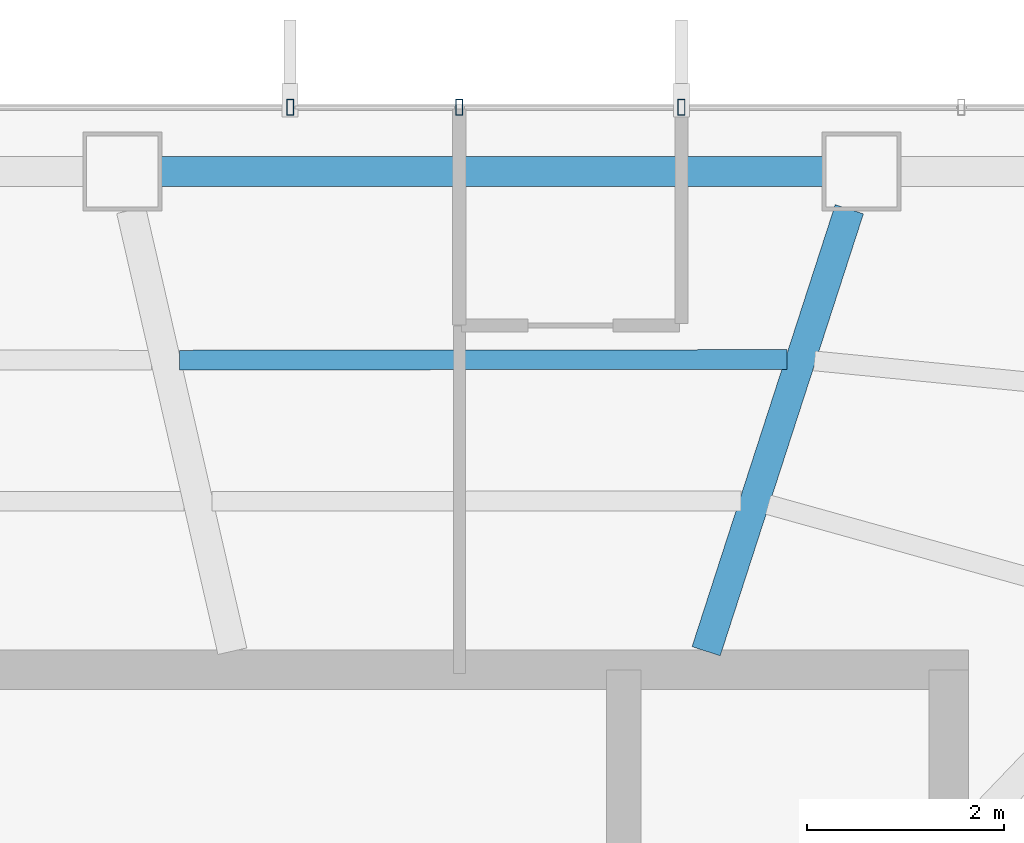
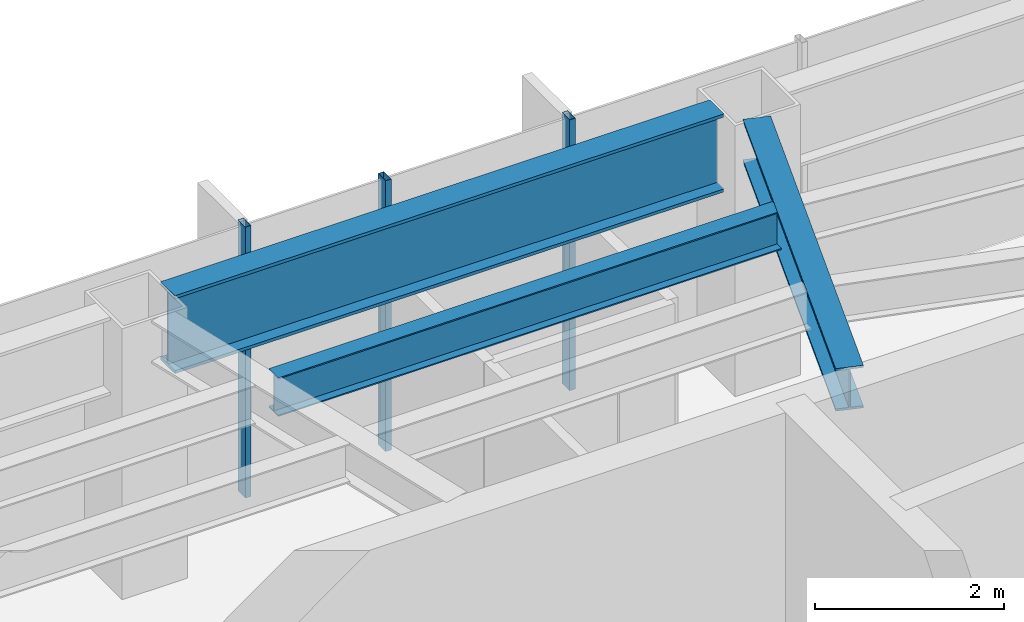
# One storey, part 16 of 29: 3 beams, 3 members, 1 element without a shape of its own.
"""IFC4 building model written with IfcOpenShell, lengths in metres."""

from ifc_helpers import new_model, si_unit, direction, frame, origin, origin_2d, place, context, subcontext, project, spatial, hollow_rectangle, i_section, extrude, material, layer, layer_set, material_profile, profile_set, type_object, element, aggregate, save


model = new_model("IFC4")

# Units and contexts
model_context = context("Model", 3, precision=1e-05, world=origin(), true_north=direction((0.0, 1.0)))
body_context = subcontext(model_context, "Body", "Model", "MODEL_VIEW")
ifc_project = project(units=[si_unit("LENGTHUNIT", "METRE"), si_unit("AREAUNIT", "SQUARE_METRE"), si_unit("VOLUMEUNIT", "CUBIC_METRE"), si_unit("PLANEANGLEUNIT", "RADIAN"), si_unit("MASSUNIT", "GRAM", prefix="KILO")], contexts=[model_context])

# Site, building, storey
site_placement = place(None, origin())
site = spatial("IfcSite", under=ifc_project, at=site_placement, CompositionType="ELEMENT")
building_placement = place(site_placement, origin())
building = spatial("IfcBuilding", under=site, at=building_placement, Name="Zarrinselat Tower", CompositionType="ELEMENT")
storey_placement = place(building_placement, frame((0.0, 0.0, 134.639892578125)))
storey = spatial("IfcBuildingStorey", under=building, at=storey_placement, Name="L32", CompositionType="ELEMENT", Elevation=134.639892578125)

# Beams
ifc_material_1 = material(Name="Steel S355J2", Category="steel")
ifc_material_profile_1 = material_profile(ifc_material_1, i_section(OverallWidth=0.300048828125, OverallDepth=0.550048828125, WebThickness=0.014892578125, FlangeThickness=0.029052734375, at=origin_2d()), Name="HEB 550")
ifc_profile_set_1 = profile_set([ifc_material_profile_1], Name="Steel S355J2")
beam_type_1 = type_object("IfcBeamType", Name="BM-HEB550", PredefinedType="BEAM", material=ifc_profile_set_1)
beam_1_placement = place(storey_placement, frame((45.800048828125, 43.639892578125, 3.22509765625), z_axis=(0.308249736475, 0.951305471425, 0.0), x_axis=(-0.951305471425, 0.308249736475, 0.0)))
element("IfcBeam", 1, at=beam_1_placement, inside=storey, type_object=beam_type_1, Name="L32 Radial Primary Girder RG02", PredefinedType="BEAM", context=body_context, shape_type="SweptSolid", body=[
    extrude(i_section(OverallWidth=0.300048828125, OverallDepth=0.550048828125, WebThickness=0.014892578125, FlangeThickness=0.029052734375, at=origin_2d()), origin(), (0.0, 0.0, 1.0), 4.70703125),
])
ifc_material_2 = material(Name="Steel S460M", Category="steel")
ifc_material_profile_2 = material_profile(ifc_material_2, i_section(OverallWidth=0.302001953125, OverallDepth=1.008056640625, WebThickness=0.02099609375, FlangeThickness=0.0400390625, at=origin_2d()), Name="HEM 1000")
ifc_profile_set_2 = profile_set([ifc_material_profile_2], Name="Steel S460M")
beam_type_2 = type_object("IfcBeamType", Name="BM-HEM1000", PredefinedType="BEAM", material=ifc_profile_set_2)
beam_2_placement = place(storey_placement, frame((40.272705078125, 48.5, 2.99609375), z_axis=(1.0, 0.0, 0.0), x_axis=(0.0, 1.0, 0.0)))
element("IfcBeam", 2, at=beam_2_placement, inside=storey, type_object=beam_type_2, Name="L32 Perimeter Spandrel Girder SP02", PredefinedType="BEAM", context=body_context, shape_type="SweptSolid", body=[
    extrude(i_section(OverallWidth=0.302001953125, OverallDepth=1.008056640625, WebThickness=0.02099609375, FlangeThickness=0.0400390625, at=origin_2d()), origin(), (0.0, 0.0, 1.0), 6.714111328125),
])
ifc_material_3 = material(Name="Steel S355J2", Category="steel")
ifc_material_profile_3 = material_profile(ifc_material_3, i_section(OverallWidth=0.199951171875, OverallDepth=0.5, WebThickness=0.01025390625, FlangeThickness=0.01611328125, at=origin_2d()), Name="IPE 500")
ifc_profile_set_3 = profile_set([ifc_material_profile_3], Name="Steel S355J2")
beam_type_3 = type_object("IfcBeamType", Name="BM-IPE500", PredefinedType="JOIST", material=ifc_profile_set_3)
beam_3_placement = place(storey_placement, frame((40.463134765625, 46.589111328125, 3.25), z_axis=(0.999999508257, 0.000991708823, 0.0), x_axis=(-0.000991708823, 0.999999508257, 0.0)))
element("IfcBeam", 3, at=beam_3_placement, inside=storey, type_object=beam_type_3, Name="L32 Composite Floor Joist 7-1", PredefinedType="JOIST", context=body_context, shape_type="SweptSolid", body=[
    extrude(i_section(OverallWidth=0.199951171875, OverallDepth=0.5, WebThickness=0.01025390625, FlangeThickness=0.01611328125, at=origin_2d()), origin(), (0.0, 0.0, 1.0), 6.154541015625),
])

# Curtain wall, members
ifc_material_4 = material(Name="Extruded Aluminium Alloy EN AW-6063 T6", Category="aluminium")
ifc_layer = layer(ifc_material_4, 0.175048828125)
ifc_layer_set = layer_set([ifc_layer], Name="Extruded Aluminium Alloy EN AW-6063 T6")
curtain_wall_type = type_object("IfcCurtainWallType", Name="CWS-HTL", PredefinedType="NOTDEFINED", material=ifc_layer_set)
curtain_wall_placement = place(storey_placement, origin())
curtain_wall = element("IfcCurtainWall", 4, at=curtain_wall_placement, inside=storey, type_object=curtain_wall_type, Name="L32 Unitised Curtain Wall CW-L32-E01", PredefinedType="NOTDEFINED")
ifc_material_5 = material(Name="Extruded Aluminium Alloy EN AW-6063 T6", Category="aluminium")
ifc_material_profile_4 = material_profile(ifc_material_5, hollow_rectangle(XDim=0.070068359375, YDim=0.159912109375, WallThickness=0.00390625, at=origin_2d()), Name="RHS 160x70x4")
ifc_profile_set_4 = profile_set([ifc_material_profile_4], Name="Extruded Aluminium Alloy EN AW-6063 T6")
member_type = type_object("IfcMemberType", Name="MEM-CW-MUL2", PredefinedType="MULLION", material=ifc_profile_set_4)
member_1_placement = place(storey_placement, frame((45.550048828125, 49.14990234375, 0.0), z_axis=(0.0, 0.0, 1.0), x_axis=(-1.0, 0.0, 0.0)))
member_1 = element("IfcMember", 5, at=member_1_placement, type_object=member_type, Name="CW-L32-E01 Mullion 3", PredefinedType="MULLION", context=body_context, shape_type="SweptSolid", body=[
    extrude(hollow_rectangle(XDim=0.070068359375, YDim=0.159912109375, WallThickness=0.00390625, at=origin_2d()), origin(), (0.0, 0.0, 1.0), 3.5),
])
member_2_placement = place(storey_placement, frame((43.300048828125, 49.14990234375, 0.0), z_axis=(0.0, 0.0, 1.0), x_axis=(-1.0, 0.0, 0.0)))
member_2 = element("IfcMember", 6, at=member_2_placement, type_object=member_type, Name="CW-L32-E01 Mullion 4", PredefinedType="MULLION", context=body_context, shape_type="SweptSolid", body=[
    extrude(hollow_rectangle(XDim=0.070068359375, YDim=0.159912109375, WallThickness=0.00390625, at=origin_2d()), origin(), (0.0, 0.0, 1.0), 3.5),
])
member_3_placement = place(storey_placement, frame((41.585205078125, 49.14990234375, 0.0), z_axis=(0.0, 0.0, 1.0), x_axis=(-1.0, 0.0, 0.0)))
member_3 = element("IfcMember", 7, at=member_3_placement, type_object=member_type, Name="CW-L32-E01 Mullion 5", PredefinedType="MULLION", context=body_context, shape_type="SweptSolid", body=[
    extrude(hollow_rectangle(XDim=0.070068359375, YDim=0.159912109375, WallThickness=0.00390625, at=origin_2d()), origin(), (0.0, 0.0, 1.0), 3.5),
])
aggregate(curtain_wall, [member_1, member_2, member_3])

save(model, "model.ifc")
